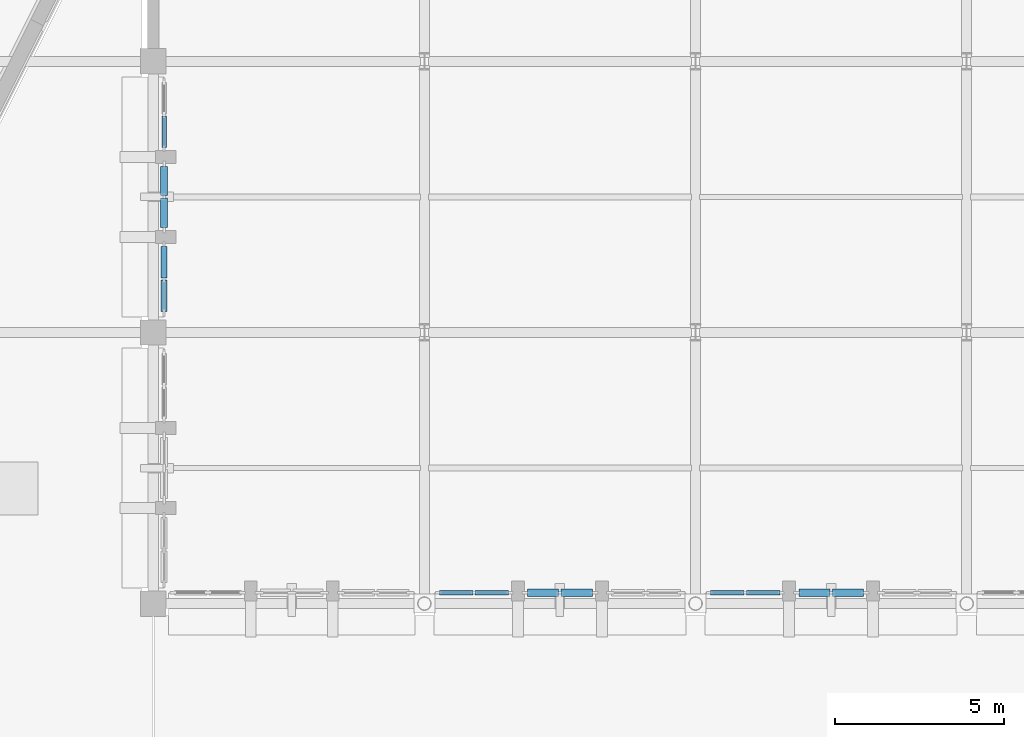
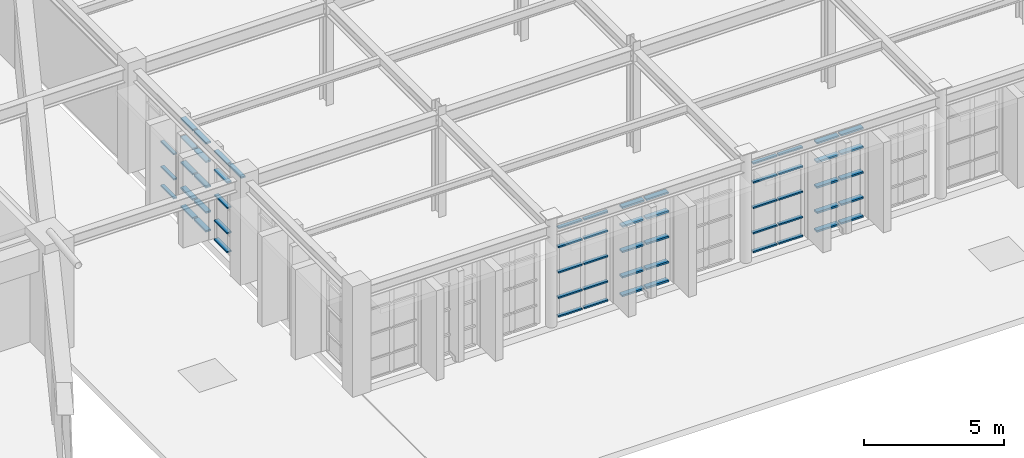
# One storey, part 75 of 155: 59 members, 7 elements without a shape of their own.
"""IFC4 building model written with IfcOpenShell, lengths in metres."""

from ifc_helpers import new_model, si_unit, direction, frame, origin, origin_2d, place, context, subcontext, project, spatial, rectangle, extrude, material, layer, layer_set, material_profile, profile_set, type_object, element, aggregate, save


model = new_model("IFC4")

# Units and contexts
model_context = context("Model", 3, precision=1e-05, world=origin(), true_north=direction((0.0, 1.0)))
body_context = subcontext(model_context, "Body", "Model", "MODEL_VIEW")
ifc_project = project(units=[si_unit("LENGTHUNIT", "METRE"), si_unit("AREAUNIT", "SQUARE_METRE"), si_unit("VOLUMEUNIT", "CUBIC_METRE"), si_unit("PLANEANGLEUNIT", "RADIAN"), si_unit("MASSUNIT", "GRAM", prefix="KILO")], contexts=[model_context])

# Site, building, storey
site_placement = place(None, origin())
site = spatial("IfcSite", under=ifc_project, at=site_placement, CompositionType="ELEMENT")
building_placement = place(site_placement, origin())
building = spatial("IfcBuilding", under=site, at=building_placement, Name="Tazarka Park Arena", CompositionType="ELEMENT")
storey_placement = place(building_placement, frame((0.0, 0.0, 5.39990234375)))
storey = spatial("IfcBuildingStorey", under=building, at=storey_placement, Name="L01", CompositionType="ELEMENT", Elevation=5.39990234375)

# Curtain wall, members
ifc_material_1 = material(Name="Aluminium and low-e glass", Category="aluminium")
ifc_layer_1 = layer(ifc_material_1, 0.179931640625, Name="Aluminium and low-e glass")
ifc_layer_set_1 = layer_set([ifc_layer_1], Name="Aluminium and low-e glass")
curtain_wall_type_1 = type_object("IfcCurtainWallType", Name="CW-12", PredefinedType="NOTDEFINED", material=ifc_layer_set_1)
curtain_wall_1_placement = place(storey_placement, origin())
curtain_wall_1 = element("IfcCurtainWall", 1, at=curtain_wall_1_placement, inside=storey, type_object=curtain_wall_type_1, Name="Curtain Wall CWA-L01-162", PredefinedType="NOTDEFINED")
ifc_material_2 = material(Name="Aluminium 6060-T66", Category="aluminium")
ifc_material_profile_1 = material_profile(ifc_material_2, rectangle(XDim=0.139892578125, YDim=0.06494140625, at=origin_2d()), Name="Aluminium 6060-T66")
ifc_profile_set_1 = profile_set([ifc_material_profile_1], Name="Aluminium 6060-T66")
member_type_1 = type_object("IfcMemberType", Name="CWT-01", PredefinedType="USERDEFINED", material=ifc_profile_set_1)
member_1_placement = place(storey_placement, frame((136.320068359375, 53.456787109375, 0.03271484375), z_axis=(0.0, 1.0, 0.0), x_axis=(-1.0, 0.0, 0.0)))
member_1 = element("IfcMember", 2, at=member_1_placement, type_object=member_type_1, Name="CW-12 transom 1.1", ObjectType="TRANSOM", PredefinedType="USERDEFINED", context=body_context, shape_type="SweptSolid", body=[
    extrude(rectangle(XDim=0.139892578125, YDim=0.06494140625, at=origin_2d()), origin(), (0.0, 0.0, 1.0), 0.928955078125),
])
member_2_placement = place(storey_placement, frame((136.320068359375, 53.456787109375, 0.85009765625), z_axis=(0.0, 1.0, 0.0), x_axis=(-1.0, 0.0, 0.0)))
member_2 = element("IfcMember", 3, at=member_2_placement, type_object=member_type_1, Name="CW-12 transom 1.2", ObjectType="TRANSOM", PredefinedType="USERDEFINED", context=body_context, shape_type="SweptSolid", body=[
    extrude(rectangle(XDim=0.139892578125, YDim=0.06494140625, at=origin_2d()), origin(), (0.0, 0.0, 1.0), 0.928955078125),
])
member_3_placement = place(storey_placement, frame((136.320068359375, 53.456787109375, 1.9501953125), z_axis=(0.0, 1.0, 0.0), x_axis=(-1.0, 0.0, 0.0)))
member_3 = element("IfcMember", 4, at=member_3_placement, type_object=member_type_1, Name="CW-12 transom 1.3", ObjectType="TRANSOM", PredefinedType="USERDEFINED", context=body_context, shape_type="SweptSolid", body=[
    extrude(rectangle(XDim=0.139892578125, YDim=0.06494140625, at=origin_2d()), origin(), (0.0, 0.0, 1.0), 0.928955078125),
])
aggregate(curtain_wall_1, [member_1, member_2, member_3])

ifc_material_3 = material(Name="Aluminium and low-e glass", Category="aluminium")
ifc_layer_2 = layer(ifc_material_3, 0.179931640625, Name="Aluminium and low-e glass")
ifc_layer_set_2 = layer_set([ifc_layer_2], Name="Aluminium and low-e glass")
curtain_wall_type_2 = type_object("IfcCurtainWallType", Name="CW-21", PredefinedType="NOTDEFINED", material=ifc_layer_set_2)
curtain_wall_2_placement = place(storey_placement, origin())
curtain_wall_2 = element("IfcCurtainWall", 5, at=curtain_wall_2_placement, inside=storey, type_object=curtain_wall_type_2, Name="Curtain Wall CWA-L01-171", PredefinedType="NOTDEFINED")
member_4_placement = place(storey_placement, frame((146.486083984375, 40.320068359375, 0.03271484375), z_axis=(-1.0, 0.0, 0.0), x_axis=(0.0, -1.0, 0.0)))
member_4 = element("IfcMember", 6, at=member_4_placement, type_object=member_type_1, Name="CW-21 transom 1.1", ObjectType="TRANSOM", PredefinedType="USERDEFINED", context=body_context, shape_type="SweptSolid", body=[
    extrude(rectangle(XDim=0.139892578125, YDim=0.06494140625, at=origin_2d()), origin(), (0.0, 0.0, 1.0), 0.986328125),
])
member_5_placement = place(storey_placement, frame((146.486083984375, 40.320068359375, 0.85009765625), z_axis=(-1.0, 0.0, 0.0), x_axis=(0.0, -1.0, 0.0)))
member_5 = element("IfcMember", 7, at=member_5_placement, type_object=member_type_1, Name="CW-21 transom 1.2", ObjectType="TRANSOM", PredefinedType="USERDEFINED", context=body_context, shape_type="SweptSolid", body=[
    extrude(rectangle(XDim=0.139892578125, YDim=0.06494140625, at=origin_2d()), origin(), (0.0, 0.0, 1.0), 0.986328125),
])
member_6_placement = place(storey_placement, frame((146.486083984375, 40.320068359375, 1.9501953125), z_axis=(-1.0, 0.0, 0.0), x_axis=(0.0, -1.0, 0.0)))
member_6 = element("IfcMember", 8, at=member_6_placement, type_object=member_type_1, Name="CW-21 transom 1.3", ObjectType="TRANSOM", PredefinedType="USERDEFINED", context=body_context, shape_type="SweptSolid", body=[
    extrude(rectangle(XDim=0.139892578125, YDim=0.06494140625, at=origin_2d()), origin(), (0.0, 0.0, 1.0), 0.986328125),
])
member_7_placement = place(storey_placement, frame((146.486083984375, 40.320068359375, 3.050048828125), z_axis=(-1.0, 0.0, 0.0), x_axis=(0.0, -1.0, 0.0)))
member_7 = element("IfcMember", 9, at=member_7_placement, type_object=member_type_1, Name="CW-21 transom 1.4", ObjectType="TRANSOM", PredefinedType="USERDEFINED", context=body_context, shape_type="SweptSolid", body=[
    extrude(rectangle(XDim=0.139892578125, YDim=0.06494140625, at=origin_2d()), origin(), (0.0, 0.0, 1.0), 0.986328125),
])
member_8_placement = place(storey_placement, frame((146.486083984375, 40.320068359375, 3.877685546875), z_axis=(-1.0, 0.0, 0.0), x_axis=(0.0, -1.0, 0.0)))
member_8 = element("IfcMember", 10, at=member_8_placement, type_object=member_type_1, Name="CW-21 transom 1.5", ObjectType="TRANSOM", PredefinedType="USERDEFINED", context=body_context, shape_type="SweptSolid", body=[
    extrude(rectangle(XDim=0.139892578125, YDim=0.06494140625, at=origin_2d()), origin(), (0.0, 0.0, 1.0), 0.986328125),
])
member_9_placement = place(storey_placement, frame((145.4345703125, 40.320068359375, 0.03271484375), z_axis=(-1.0, 0.0, 0.0), x_axis=(0.0, -1.0, 0.0)))
member_9 = element("IfcMember", 11, at=member_9_placement, type_object=member_type_1, Name="CW-21 transom 2.1", ObjectType="TRANSOM", PredefinedType="USERDEFINED", context=body_context, shape_type="SweptSolid", body=[
    extrude(rectangle(XDim=0.139892578125, YDim=0.06494140625, at=origin_2d()), origin(), (0.0, 0.0, 1.0), 0.986328125),
])
member_10_placement = place(storey_placement, frame((145.4345703125, 40.320068359375, 0.85009765625), z_axis=(-1.0, 0.0, 0.0), x_axis=(0.0, -1.0, 0.0)))
member_10 = element("IfcMember", 12, at=member_10_placement, type_object=member_type_1, Name="CW-21 transom 2.2", ObjectType="TRANSOM", PredefinedType="USERDEFINED", context=body_context, shape_type="SweptSolid", body=[
    extrude(rectangle(XDim=0.139892578125, YDim=0.06494140625, at=origin_2d()), origin(), (0.0, 0.0, 1.0), 0.986328125),
])
member_11_placement = place(storey_placement, frame((145.4345703125, 40.320068359375, 1.9501953125), z_axis=(-1.0, 0.0, 0.0), x_axis=(0.0, -1.0, 0.0)))
member_11 = element("IfcMember", 13, at=member_11_placement, type_object=member_type_1, Name="CW-21 transom 2.3", ObjectType="TRANSOM", PredefinedType="USERDEFINED", context=body_context, shape_type="SweptSolid", body=[
    extrude(rectangle(XDim=0.139892578125, YDim=0.06494140625, at=origin_2d()), origin(), (0.0, 0.0, 1.0), 0.986328125),
])
member_12_placement = place(storey_placement, frame((145.4345703125, 40.320068359375, 3.050048828125), z_axis=(-1.0, 0.0, 0.0), x_axis=(0.0, -1.0, 0.0)))
member_12 = element("IfcMember", 14, at=member_12_placement, type_object=member_type_1, Name="CW-21 transom 2.4", ObjectType="TRANSOM", PredefinedType="USERDEFINED", context=body_context, shape_type="SweptSolid", body=[
    extrude(rectangle(XDim=0.139892578125, YDim=0.06494140625, at=origin_2d()), origin(), (0.0, 0.0, 1.0), 0.986328125),
])
member_13_placement = place(storey_placement, frame((145.4345703125, 40.320068359375, 3.877685546875), z_axis=(-1.0, 0.0, 0.0), x_axis=(0.0, -1.0, 0.0)))
member_13 = element("IfcMember", 15, at=member_13_placement, type_object=member_type_1, Name="CW-21 transom 2.5", ObjectType="TRANSOM", PredefinedType="USERDEFINED", context=body_context, shape_type="SweptSolid", body=[
    extrude(rectangle(XDim=0.139892578125, YDim=0.06494140625, at=origin_2d()), origin(), (0.0, 0.0, 1.0), 0.986328125),
])
aggregate(curtain_wall_2, [member_4, member_5, member_6, member_7, member_8, member_9, member_10, member_11, member_12, member_13])

ifc_material_4 = material(Name="Aluminium and low-e glass", Category="aluminium")
ifc_layer_3 = layer(ifc_material_4, 0.179931640625, Name="Aluminium and low-e glass")
ifc_layer_set_3 = layer_set([ifc_layer_3], Name="Aluminium and low-e glass")
curtain_wall_type_3 = type_object("IfcCurtainWallType", Name="CW-24", PredefinedType="NOTDEFINED", material=ifc_layer_set_3)
curtain_wall_3_placement = place(storey_placement, origin())
curtain_wall_3 = element("IfcCurtainWall", 16, at=curtain_wall_3_placement, inside=storey, type_object=curtain_wall_type_3, Name="Curtain Wall CWA-L01-174", PredefinedType="NOTDEFINED")
member_14_placement = place(storey_placement, frame((154.486083984375, 40.320068359375, 0.03271484375), z_axis=(-1.0, 0.0, 0.0), x_axis=(0.0, -1.0, 0.0)))
member_14 = element("IfcMember", 17, at=member_14_placement, type_object=member_type_1, Name="CW-24 transom 1.1", ObjectType="TRANSOM", PredefinedType="USERDEFINED", context=body_context, shape_type="SweptSolid", body=[
    extrude(rectangle(XDim=0.139892578125, YDim=0.06494140625, at=origin_2d()), origin(), (0.0, 0.0, 1.0), 0.986328125),
])
member_15_placement = place(storey_placement, frame((154.486083984375, 40.320068359375, 0.85009765625), z_axis=(-1.0, 0.0, 0.0), x_axis=(0.0, -1.0, 0.0)))
member_15 = element("IfcMember", 18, at=member_15_placement, type_object=member_type_1, Name="CW-24 transom 1.2", ObjectType="TRANSOM", PredefinedType="USERDEFINED", context=body_context, shape_type="SweptSolid", body=[
    extrude(rectangle(XDim=0.139892578125, YDim=0.06494140625, at=origin_2d()), origin(), (0.0, 0.0, 1.0), 0.986328125),
])
member_16_placement = place(storey_placement, frame((154.486083984375, 40.320068359375, 1.9501953125), z_axis=(-1.0, 0.0, 0.0), x_axis=(0.0, -1.0, 0.0)))
member_16 = element("IfcMember", 19, at=member_16_placement, type_object=member_type_1, Name="CW-24 transom 1.3", ObjectType="TRANSOM", PredefinedType="USERDEFINED", context=body_context, shape_type="SweptSolid", body=[
    extrude(rectangle(XDim=0.139892578125, YDim=0.06494140625, at=origin_2d()), origin(), (0.0, 0.0, 1.0), 0.986328125),
])
member_17_placement = place(storey_placement, frame((154.486083984375, 40.320068359375, 3.050048828125), z_axis=(-1.0, 0.0, 0.0), x_axis=(0.0, -1.0, 0.0)))
member_17 = element("IfcMember", 20, at=member_17_placement, type_object=member_type_1, Name="CW-24 transom 1.4", ObjectType="TRANSOM", PredefinedType="USERDEFINED", context=body_context, shape_type="SweptSolid", body=[
    extrude(rectangle(XDim=0.139892578125, YDim=0.06494140625, at=origin_2d()), origin(), (0.0, 0.0, 1.0), 0.986328125),
])
member_18_placement = place(storey_placement, frame((154.486083984375, 40.320068359375, 3.877685546875), z_axis=(-1.0, 0.0, 0.0), x_axis=(0.0, -1.0, 0.0)))
member_18 = element("IfcMember", 21, at=member_18_placement, type_object=member_type_1, Name="CW-24 transom 1.5", ObjectType="TRANSOM", PredefinedType="USERDEFINED", context=body_context, shape_type="SweptSolid", body=[
    extrude(rectangle(XDim=0.139892578125, YDim=0.06494140625, at=origin_2d()), origin(), (0.0, 0.0, 1.0), 0.986328125),
])
member_19_placement = place(storey_placement, frame((153.4345703125, 40.320068359375, 0.03271484375), z_axis=(-1.0, 0.0, 0.0), x_axis=(0.0, -1.0, 0.0)))
member_19 = element("IfcMember", 22, at=member_19_placement, type_object=member_type_1, Name="CW-24 transom 2.1", ObjectType="TRANSOM", PredefinedType="USERDEFINED", context=body_context, shape_type="SweptSolid", body=[
    extrude(rectangle(XDim=0.139892578125, YDim=0.06494140625, at=origin_2d()), origin(), (0.0, 0.0, 1.0), 0.986328125),
])
member_20_placement = place(storey_placement, frame((153.4345703125, 40.320068359375, 0.85009765625), z_axis=(-1.0, 0.0, 0.0), x_axis=(0.0, -1.0, 0.0)))
member_20 = element("IfcMember", 23, at=member_20_placement, type_object=member_type_1, Name="CW-24 transom 2.2", ObjectType="TRANSOM", PredefinedType="USERDEFINED", context=body_context, shape_type="SweptSolid", body=[
    extrude(rectangle(XDim=0.139892578125, YDim=0.06494140625, at=origin_2d()), origin(), (0.0, 0.0, 1.0), 0.986328125),
])
member_21_placement = place(storey_placement, frame((153.4345703125, 40.320068359375, 1.9501953125), z_axis=(-1.0, 0.0, 0.0), x_axis=(0.0, -1.0, 0.0)))
member_21 = element("IfcMember", 24, at=member_21_placement, type_object=member_type_1, Name="CW-24 transom 2.3", ObjectType="TRANSOM", PredefinedType="USERDEFINED", context=body_context, shape_type="SweptSolid", body=[
    extrude(rectangle(XDim=0.139892578125, YDim=0.06494140625, at=origin_2d()), origin(), (0.0, 0.0, 1.0), 0.986328125),
])
member_22_placement = place(storey_placement, frame((153.4345703125, 40.320068359375, 3.050048828125), z_axis=(-1.0, 0.0, 0.0), x_axis=(0.0, -1.0, 0.0)))
member_22 = element("IfcMember", 25, at=member_22_placement, type_object=member_type_1, Name="CW-24 transom 2.4", ObjectType="TRANSOM", PredefinedType="USERDEFINED", context=body_context, shape_type="SweptSolid", body=[
    extrude(rectangle(XDim=0.139892578125, YDim=0.06494140625, at=origin_2d()), origin(), (0.0, 0.0, 1.0), 0.986328125),
])
member_23_placement = place(storey_placement, frame((153.4345703125, 40.320068359375, 3.877685546875), z_axis=(-1.0, 0.0, 0.0), x_axis=(0.0, -1.0, 0.0)))
member_23 = element("IfcMember", 26, at=member_23_placement, type_object=member_type_1, Name="CW-24 transom 2.5", ObjectType="TRANSOM", PredefinedType="USERDEFINED", context=body_context, shape_type="SweptSolid", body=[
    extrude(rectangle(XDim=0.139892578125, YDim=0.06494140625, at=origin_2d()), origin(), (0.0, 0.0, 1.0), 0.986328125),
])
aggregate(curtain_wall_3, [member_14, member_15, member_16, member_17, member_18, member_19, member_20, member_21, member_22, member_23])

ifc_material_5 = material(Name="Aluminium and low-e glass", Category="aluminium")
ifc_layer_4 = layer(ifc_material_5, 0.179931640625, Name="Aluminium and low-e glass")
ifc_layer_set_4 = layer_set([ifc_layer_4], Name="Aluminium and low-e glass")
curtain_wall_type_4 = type_object("IfcCurtainWallType", Name="CW-10", PredefinedType="NOTDEFINED", material=ifc_layer_set_4)
curtain_wall_4_placement = place(storey_placement, origin())
curtain_wall_4 = element("IfcCurtainWall", 27, at=curtain_wall_4_placement, inside=storey, type_object=curtain_wall_type_4, Name="Curtain Wall CWA-L01-160", PredefinedType="NOTDEFINED")
ifc_material_6 = material(Name="Aluminium 6060-T66", Category="aluminium")
ifc_material_profile_2 = material_profile(ifc_material_6, rectangle(XDim=0.179931640625, YDim=0.06494140625, at=origin_2d()), Name="Aluminium 6060-T66")
ifc_profile_set_2 = profile_set([ifc_material_profile_2], Name="Aluminium 6060-T66")
member_type_2 = type_object("IfcMemberType", Name="CWT-02", PredefinedType="USERDEFINED", material=ifc_profile_set_2)
member_24_placement = place(storey_placement, frame((136.320068359375, 48.6201171875, 3.86767578125), z_axis=(0.0, 1.0, 0.0), x_axis=(-1.0, 0.0, 0.0)))
member_24 = element("IfcMember", 28, at=member_24_placement, type_object=member_type_2, Name="CW-10 transom 1.5", ObjectType="TRANSOM", PredefinedType="USERDEFINED", context=body_context, shape_type="SweptSolid", body=[
    extrude(rectangle(XDim=0.179931640625, YDim=0.06494140625, at=origin_2d()), origin(), (0.0, 0.0, 1.0), 0.928955078125),
])
member_25_placement = place(storey_placement, frame((136.320068359375, 49.6142578125, 0.03271484375), z_axis=(0.0, 1.0, 0.0), x_axis=(-1.0, 0.0, 0.0)))
member_25 = element("IfcMember", 29, at=member_25_placement, type_object=member_type_2, Name="CW-10 transom 2.1", ObjectType="TRANSOM", PredefinedType="USERDEFINED", context=body_context, shape_type="SweptSolid", body=[
    extrude(rectangle(XDim=0.179931640625, YDim=0.06494140625, at=origin_2d()), origin(), (0.0, 0.0, 1.0), 0.928955078125),
])
member_26_placement = place(storey_placement, frame((136.320068359375, 49.6142578125, 0.85009765625), z_axis=(0.0, 1.0, 0.0), x_axis=(-1.0, 0.0, 0.0)))
member_26 = element("IfcMember", 30, at=member_26_placement, type_object=member_type_2, Name="CW-10 transom 2.2", ObjectType="TRANSOM", PredefinedType="USERDEFINED", context=body_context, shape_type="SweptSolid", body=[
    extrude(rectangle(XDim=0.179931640625, YDim=0.06494140625, at=origin_2d()), origin(), (0.0, 0.0, 1.0), 0.928955078125),
])
member_27_placement = place(storey_placement, frame((136.320068359375, 49.6142578125, 1.9501953125), z_axis=(0.0, 1.0, 0.0), x_axis=(-1.0, 0.0, 0.0)))
member_27 = element("IfcMember", 31, at=member_27_placement, type_object=member_type_2, Name="CW-10 transom 2.3", ObjectType="TRANSOM", PredefinedType="USERDEFINED", context=body_context, shape_type="SweptSolid", body=[
    extrude(rectangle(XDim=0.179931640625, YDim=0.06494140625, at=origin_2d()), origin(), (0.0, 0.0, 1.0), 0.928955078125),
])
member_28_placement = place(storey_placement, frame((136.320068359375, 49.6142578125, 3.050048828125), z_axis=(0.0, 1.0, 0.0), x_axis=(-1.0, 0.0, 0.0)))
member_28 = element("IfcMember", 32, at=member_28_placement, type_object=member_type_2, Name="CW-10 transom 2.4", ObjectType="TRANSOM", PredefinedType="USERDEFINED", context=body_context, shape_type="SweptSolid", body=[
    extrude(rectangle(XDim=0.179931640625, YDim=0.06494140625, at=origin_2d()), origin(), (0.0, 0.0, 1.0), 0.928955078125),
])
member_29_placement = place(storey_placement, frame((136.320068359375, 49.6142578125, 3.86767578125), z_axis=(0.0, 1.0, 0.0), x_axis=(-1.0, 0.0, 0.0)))
member_29 = element("IfcMember", 33, at=member_29_placement, type_object=member_type_2, Name="CW-10 transom 2.5", ObjectType="TRANSOM", PredefinedType="USERDEFINED", context=body_context, shape_type="SweptSolid", body=[
    extrude(rectangle(XDim=0.179931640625, YDim=0.06494140625, at=origin_2d()), origin(), (0.0, 0.0, 1.0), 0.928955078125),
])
aggregate(curtain_wall_4, [member_24, member_25, member_26, member_27, member_28, member_29])

ifc_material_7 = material(Name="Aluminium and low-e glass", Category="aluminium")
ifc_layer_5 = layer(ifc_material_7, 0.179931640625, Name="Aluminium and low-e glass")
ifc_layer_set_5 = layer_set([ifc_layer_5], Name="Aluminium and low-e glass")
curtain_wall_type_5 = type_object("IfcCurtainWallType", Name="CW-11", PredefinedType="NOTDEFINED", material=ifc_layer_set_5)
curtain_wall_5_placement = place(storey_placement, origin())
curtain_wall_5 = element("IfcCurtainWall", 34, at=curtain_wall_5_placement, inside=storey, type_object=curtain_wall_type_5, Name="Curtain Wall CWA-L01-161", PredefinedType="NOTDEFINED")
ifc_material_8 = material(Name="Aluminium 6060-T66", Category="aluminium")
ifc_material_profile_3 = material_profile(ifc_material_8, rectangle(XDim=0.2099609375, YDim=0.074951171875, at=origin_2d()), Name="Aluminium 6060-T66")
ifc_profile_set_3 = profile_set([ifc_material_profile_3], Name="Aluminium 6060-T66")
member_type_3 = type_object("IfcMemberType", Name="CWT-03", PredefinedType="USERDEFINED", material=ifc_profile_set_3)
member_30_placement = place(storey_placement, frame((136.320068359375, 51.103271484375, 0.03759765625), z_axis=(0.0, 1.0, 0.0), x_axis=(-1.0, 0.0, 0.0)))
member_30 = element("IfcMember", 35, at=member_30_placement, type_object=member_type_3, Name="CW-11 transom 1.1", ObjectType="TRANSOM", PredefinedType="USERDEFINED", context=body_context, shape_type="SweptSolid", body=[
    extrude(rectangle(XDim=0.2099609375, YDim=0.074951171875, at=origin_2d()), origin(), (0.0, 0.0, 1.0), 0.859130859375),
])
member_31_placement = place(storey_placement, frame((136.320068359375, 51.103271484375, 0.85009765625), z_axis=(0.0, 1.0, 0.0), x_axis=(-1.0, 0.0, 0.0)))
member_31 = element("IfcMember", 36, at=member_31_placement, type_object=member_type_3, Name="CW-11 transom 1.2", ObjectType="TRANSOM", PredefinedType="USERDEFINED", context=body_context, shape_type="SweptSolid", body=[
    extrude(rectangle(XDim=0.2099609375, YDim=0.074951171875, at=origin_2d()), origin(), (0.0, 0.0, 1.0), 0.859130859375),
])
member_32_placement = place(storey_placement, frame((136.320068359375, 51.103271484375, 1.9501953125), z_axis=(0.0, 1.0, 0.0), x_axis=(-1.0, 0.0, 0.0)))
member_32 = element("IfcMember", 37, at=member_32_placement, type_object=member_type_3, Name="CW-11 transom 1.3", ObjectType="TRANSOM", PredefinedType="USERDEFINED", context=body_context, shape_type="SweptSolid", body=[
    extrude(rectangle(XDim=0.2099609375, YDim=0.074951171875, at=origin_2d()), origin(), (0.0, 0.0, 1.0), 0.859130859375),
])
member_33_placement = place(storey_placement, frame((136.320068359375, 51.103271484375, 3.050048828125), z_axis=(0.0, 1.0, 0.0), x_axis=(-1.0, 0.0, 0.0)))
member_33 = element("IfcMember", 38, at=member_33_placement, type_object=member_type_3, Name="CW-11 transom 1.4", ObjectType="TRANSOM", PredefinedType="USERDEFINED", context=body_context, shape_type="SweptSolid", body=[
    extrude(rectangle(XDim=0.2099609375, YDim=0.074951171875, at=origin_2d()), origin(), (0.0, 0.0, 1.0), 0.859130859375),
])
member_34_placement = place(storey_placement, frame((136.320068359375, 51.103271484375, 3.862548828125), z_axis=(0.0, 1.0, 0.0), x_axis=(-1.0, 0.0, 0.0)))
member_34 = element("IfcMember", 39, at=member_34_placement, type_object=member_type_3, Name="CW-11 transom 1.5", ObjectType="TRANSOM", PredefinedType="USERDEFINED", context=body_context, shape_type="SweptSolid", body=[
    extrude(rectangle(XDim=0.2099609375, YDim=0.074951171875, at=origin_2d()), origin(), (0.0, 0.0, 1.0), 0.859130859375),
])
member_35_placement = place(storey_placement, frame((136.320068359375, 52.03759765625, 0.03759765625), z_axis=(0.0, 1.0, 0.0), x_axis=(-1.0, 0.0, 0.0)))
member_35 = element("IfcMember", 40, at=member_35_placement, type_object=member_type_3, Name="CW-11 transom 2.1", ObjectType="TRANSOM", PredefinedType="USERDEFINED", context=body_context, shape_type="SweptSolid", body=[
    extrude(rectangle(XDim=0.2099609375, YDim=0.074951171875, at=origin_2d()), origin(), (0.0, 0.0, 1.0), 0.859130859375),
])
member_36_placement = place(storey_placement, frame((136.320068359375, 52.03759765625, 0.85009765625), z_axis=(0.0, 1.0, 0.0), x_axis=(-1.0, 0.0, 0.0)))
member_36 = element("IfcMember", 41, at=member_36_placement, type_object=member_type_3, Name="CW-11 transom 2.2", ObjectType="TRANSOM", PredefinedType="USERDEFINED", context=body_context, shape_type="SweptSolid", body=[
    extrude(rectangle(XDim=0.2099609375, YDim=0.074951171875, at=origin_2d()), origin(), (0.0, 0.0, 1.0), 0.859130859375),
])
member_37_placement = place(storey_placement, frame((136.320068359375, 52.03759765625, 1.9501953125), z_axis=(0.0, 1.0, 0.0), x_axis=(-1.0, 0.0, 0.0)))
member_37 = element("IfcMember", 42, at=member_37_placement, type_object=member_type_3, Name="CW-11 transom 2.3", ObjectType="TRANSOM", PredefinedType="USERDEFINED", context=body_context, shape_type="SweptSolid", body=[
    extrude(rectangle(XDim=0.2099609375, YDim=0.074951171875, at=origin_2d()), origin(), (0.0, 0.0, 1.0), 0.859130859375),
])
member_38_placement = place(storey_placement, frame((136.320068359375, 52.03759765625, 3.050048828125), z_axis=(0.0, 1.0, 0.0), x_axis=(-1.0, 0.0, 0.0)))
member_38 = element("IfcMember", 43, at=member_38_placement, type_object=member_type_3, Name="CW-11 transom 2.4", ObjectType="TRANSOM", PredefinedType="USERDEFINED", context=body_context, shape_type="SweptSolid", body=[
    extrude(rectangle(XDim=0.2099609375, YDim=0.074951171875, at=origin_2d()), origin(), (0.0, 0.0, 1.0), 0.859130859375),
])
member_39_placement = place(storey_placement, frame((136.320068359375, 52.03759765625, 3.862548828125), z_axis=(0.0, 1.0, 0.0), x_axis=(-1.0, 0.0, 0.0)))
member_39 = element("IfcMember", 44, at=member_39_placement, type_object=member_type_3, Name="CW-11 transom 2.5", ObjectType="TRANSOM", PredefinedType="USERDEFINED", context=body_context, shape_type="SweptSolid", body=[
    extrude(rectangle(XDim=0.2099609375, YDim=0.074951171875, at=origin_2d()), origin(), (0.0, 0.0, 1.0), 0.859130859375),
])
aggregate(curtain_wall_5, [member_30, member_31, member_32, member_33, member_34, member_35, member_36, member_37, member_38, member_39])

ifc_material_9 = material(Name="Aluminium and low-e glass", Category="aluminium")
ifc_layer_6 = layer(ifc_material_9, 0.179931640625, Name="Aluminium and low-e glass")
ifc_layer_set_6 = layer_set([ifc_layer_6], Name="Aluminium and low-e glass")
curtain_wall_type_6 = type_object("IfcCurtainWallType", Name="CW-20", PredefinedType="NOTDEFINED", material=ifc_layer_set_6)
curtain_wall_6_placement = place(storey_placement, origin())
curtain_wall_6 = element("IfcCurtainWall", 45, at=curtain_wall_6_placement, inside=storey, type_object=curtain_wall_type_6, Name="Curtain Wall CWA-L01-170", PredefinedType="NOTDEFINED")
member_40_placement = place(storey_placement, frame((148.953857421875, 40.320068359375, 0.03759765625), z_axis=(-1.0, 0.0, 0.0), x_axis=(0.0, -1.0, 0.0)))
member_40 = element("IfcMember", 46, at=member_40_placement, type_object=member_type_3, Name="CW-20 transom 1.1", ObjectType="TRANSOM", PredefinedType="USERDEFINED", context=body_context, shape_type="SweptSolid", body=[
    extrude(rectangle(XDim=0.2099609375, YDim=0.074951171875, at=origin_2d()), origin(), (0.0, 0.0, 1.0), 0.916259765625),
])
member_41_placement = place(storey_placement, frame((148.953857421875, 40.320068359375, 0.85009765625), z_axis=(-1.0, 0.0, 0.0), x_axis=(0.0, -1.0, 0.0)))
member_41 = element("IfcMember", 47, at=member_41_placement, type_object=member_type_3, Name="CW-20 transom 1.2", ObjectType="TRANSOM", PredefinedType="USERDEFINED", context=body_context, shape_type="SweptSolid", body=[
    extrude(rectangle(XDim=0.2099609375, YDim=0.074951171875, at=origin_2d()), origin(), (0.0, 0.0, 1.0), 0.916259765625),
])
member_42_placement = place(storey_placement, frame((148.953857421875, 40.320068359375, 1.9501953125), z_axis=(-1.0, 0.0, 0.0), x_axis=(0.0, -1.0, 0.0)))
member_42 = element("IfcMember", 48, at=member_42_placement, type_object=member_type_3, Name="CW-20 transom 1.3", ObjectType="TRANSOM", PredefinedType="USERDEFINED", context=body_context, shape_type="SweptSolid", body=[
    extrude(rectangle(XDim=0.2099609375, YDim=0.074951171875, at=origin_2d()), origin(), (0.0, 0.0, 1.0), 0.916259765625),
])
member_43_placement = place(storey_placement, frame((148.953857421875, 40.320068359375, 3.050048828125), z_axis=(-1.0, 0.0, 0.0), x_axis=(0.0, -1.0, 0.0)))
member_43 = element("IfcMember", 49, at=member_43_placement, type_object=member_type_3, Name="CW-20 transom 1.4", ObjectType="TRANSOM", PredefinedType="USERDEFINED", context=body_context, shape_type="SweptSolid", body=[
    extrude(rectangle(XDim=0.2099609375, YDim=0.074951171875, at=origin_2d()), origin(), (0.0, 0.0, 1.0), 0.916259765625),
])
member_44_placement = place(storey_placement, frame((148.953857421875, 40.320068359375, 3.87255859375), z_axis=(-1.0, 0.0, 0.0), x_axis=(0.0, -1.0, 0.0)))
member_44 = element("IfcMember", 50, at=member_44_placement, type_object=member_type_3, Name="CW-20 transom 1.5", ObjectType="TRANSOM", PredefinedType="USERDEFINED", context=body_context, shape_type="SweptSolid", body=[
    extrude(rectangle(XDim=0.2099609375, YDim=0.074951171875, at=origin_2d()), origin(), (0.0, 0.0, 1.0), 0.916259765625),
])
member_45_placement = place(storey_placement, frame((147.96240234375, 40.320068359375, 0.03759765625), z_axis=(-1.0, 0.0, 0.0), x_axis=(0.0, -1.0, 0.0)))
member_45 = element("IfcMember", 51, at=member_45_placement, type_object=member_type_3, Name="CW-20 transom 2.1", ObjectType="TRANSOM", PredefinedType="USERDEFINED", context=body_context, shape_type="SweptSolid", body=[
    extrude(rectangle(XDim=0.2099609375, YDim=0.074951171875, at=origin_2d()), origin(), (0.0, 0.0, 1.0), 0.916259765625),
])
member_46_placement = place(storey_placement, frame((147.96240234375, 40.320068359375, 0.85009765625), z_axis=(-1.0, 0.0, 0.0), x_axis=(0.0, -1.0, 0.0)))
member_46 = element("IfcMember", 52, at=member_46_placement, type_object=member_type_3, Name="CW-20 transom 2.2", ObjectType="TRANSOM", PredefinedType="USERDEFINED", context=body_context, shape_type="SweptSolid", body=[
    extrude(rectangle(XDim=0.2099609375, YDim=0.074951171875, at=origin_2d()), origin(), (0.0, 0.0, 1.0), 0.916259765625),
])
member_47_placement = place(storey_placement, frame((147.96240234375, 40.320068359375, 1.9501953125), z_axis=(-1.0, 0.0, 0.0), x_axis=(0.0, -1.0, 0.0)))
member_47 = element("IfcMember", 53, at=member_47_placement, type_object=member_type_3, Name="CW-20 transom 2.3", ObjectType="TRANSOM", PredefinedType="USERDEFINED", context=body_context, shape_type="SweptSolid", body=[
    extrude(rectangle(XDim=0.2099609375, YDim=0.074951171875, at=origin_2d()), origin(), (0.0, 0.0, 1.0), 0.916259765625),
])
member_48_placement = place(storey_placement, frame((147.96240234375, 40.320068359375, 3.050048828125), z_axis=(-1.0, 0.0, 0.0), x_axis=(0.0, -1.0, 0.0)))
member_48 = element("IfcMember", 54, at=member_48_placement, type_object=member_type_3, Name="CW-20 transom 2.4", ObjectType="TRANSOM", PredefinedType="USERDEFINED", context=body_context, shape_type="SweptSolid", body=[
    extrude(rectangle(XDim=0.2099609375, YDim=0.074951171875, at=origin_2d()), origin(), (0.0, 0.0, 1.0), 0.916259765625),
])
member_49_placement = place(storey_placement, frame((147.96240234375, 40.320068359375, 3.87255859375), z_axis=(-1.0, 0.0, 0.0), x_axis=(0.0, -1.0, 0.0)))
member_49 = element("IfcMember", 55, at=member_49_placement, type_object=member_type_3, Name="CW-20 transom 2.5", ObjectType="TRANSOM", PredefinedType="USERDEFINED", context=body_context, shape_type="SweptSolid", body=[
    extrude(rectangle(XDim=0.2099609375, YDim=0.074951171875, at=origin_2d()), origin(), (0.0, 0.0, 1.0), 0.916259765625),
])
aggregate(curtain_wall_6, [member_40, member_41, member_42, member_43, member_44, member_45, member_46, member_47, member_48, member_49])

ifc_material_10 = material(Name="Aluminium and low-e glass", Category="aluminium")
ifc_layer_7 = layer(ifc_material_10, 0.179931640625, Name="Aluminium and low-e glass")
ifc_layer_set_7 = layer_set([ifc_layer_7], Name="Aluminium and low-e glass")
curtain_wall_type_7 = type_object("IfcCurtainWallType", Name="CW-23", PredefinedType="NOTDEFINED", material=ifc_layer_set_7)
curtain_wall_7_placement = place(storey_placement, origin())
curtain_wall_7 = element("IfcCurtainWall", 56, at=curtain_wall_7_placement, inside=storey, type_object=curtain_wall_type_7, Name="Curtain Wall CWA-L01-173", PredefinedType="NOTDEFINED")
member_50_placement = place(storey_placement, frame((156.953857421875, 40.320068359375, 0.03759765625), z_axis=(-1.0, 0.0, 0.0), x_axis=(0.0, -1.0, 0.0)))
member_50 = element("IfcMember", 57, at=member_50_placement, type_object=member_type_3, Name="CW-23 transom 1.1", ObjectType="TRANSOM", PredefinedType="USERDEFINED", context=body_context, shape_type="SweptSolid", body=[
    extrude(rectangle(XDim=0.2099609375, YDim=0.074951171875, at=origin_2d()), origin(), (0.0, 0.0, 1.0), 0.916259765625),
])
member_51_placement = place(storey_placement, frame((156.953857421875, 40.320068359375, 0.85009765625), z_axis=(-1.0, 0.0, 0.0), x_axis=(0.0, -1.0, 0.0)))
member_51 = element("IfcMember", 58, at=member_51_placement, type_object=member_type_3, Name="CW-23 transom 1.2", ObjectType="TRANSOM", PredefinedType="USERDEFINED", context=body_context, shape_type="SweptSolid", body=[
    extrude(rectangle(XDim=0.2099609375, YDim=0.074951171875, at=origin_2d()), origin(), (0.0, 0.0, 1.0), 0.916259765625),
])
member_52_placement = place(storey_placement, frame((156.953857421875, 40.320068359375, 1.9501953125), z_axis=(-1.0, 0.0, 0.0), x_axis=(0.0, -1.0, 0.0)))
member_52 = element("IfcMember", 59, at=member_52_placement, type_object=member_type_3, Name="CW-23 transom 1.3", ObjectType="TRANSOM", PredefinedType="USERDEFINED", context=body_context, shape_type="SweptSolid", body=[
    extrude(rectangle(XDim=0.2099609375, YDim=0.074951171875, at=origin_2d()), origin(), (0.0, 0.0, 1.0), 0.916259765625),
])
member_53_placement = place(storey_placement, frame((156.953857421875, 40.320068359375, 3.050048828125), z_axis=(-1.0, 0.0, 0.0), x_axis=(0.0, -1.0, 0.0)))
member_53 = element("IfcMember", 60, at=member_53_placement, type_object=member_type_3, Name="CW-23 transom 1.4", ObjectType="TRANSOM", PredefinedType="USERDEFINED", context=body_context, shape_type="SweptSolid", body=[
    extrude(rectangle(XDim=0.2099609375, YDim=0.074951171875, at=origin_2d()), origin(), (0.0, 0.0, 1.0), 0.916259765625),
])
member_54_placement = place(storey_placement, frame((156.953857421875, 40.320068359375, 3.87255859375), z_axis=(-1.0, 0.0, 0.0), x_axis=(0.0, -1.0, 0.0)))
member_54 = element("IfcMember", 61, at=member_54_placement, type_object=member_type_3, Name="CW-23 transom 1.5", ObjectType="TRANSOM", PredefinedType="USERDEFINED", context=body_context, shape_type="SweptSolid", body=[
    extrude(rectangle(XDim=0.2099609375, YDim=0.074951171875, at=origin_2d()), origin(), (0.0, 0.0, 1.0), 0.916259765625),
])
member_55_placement = place(storey_placement, frame((155.96240234375, 40.320068359375, 0.03759765625), z_axis=(-1.0, 0.0, 0.0), x_axis=(0.0, -1.0, 0.0)))
member_55 = element("IfcMember", 62, at=member_55_placement, type_object=member_type_3, Name="CW-23 transom 2.1", ObjectType="TRANSOM", PredefinedType="USERDEFINED", context=body_context, shape_type="SweptSolid", body=[
    extrude(rectangle(XDim=0.2099609375, YDim=0.074951171875, at=origin_2d()), origin(), (0.0, 0.0, 1.0), 0.916259765625),
])
member_56_placement = place(storey_placement, frame((155.96240234375, 40.320068359375, 0.85009765625), z_axis=(-1.0, 0.0, 0.0), x_axis=(0.0, -1.0, 0.0)))
member_56 = element("IfcMember", 63, at=member_56_placement, type_object=member_type_3, Name="CW-23 transom 2.2", ObjectType="TRANSOM", PredefinedType="USERDEFINED", context=body_context, shape_type="SweptSolid", body=[
    extrude(rectangle(XDim=0.2099609375, YDim=0.074951171875, at=origin_2d()), origin(), (0.0, 0.0, 1.0), 0.916259765625),
])
member_57_placement = place(storey_placement, frame((155.96240234375, 40.320068359375, 1.9501953125), z_axis=(-1.0, 0.0, 0.0), x_axis=(0.0, -1.0, 0.0)))
member_57 = element("IfcMember", 64, at=member_57_placement, type_object=member_type_3, Name="CW-23 transom 2.3", ObjectType="TRANSOM", PredefinedType="USERDEFINED", context=body_context, shape_type="SweptSolid", body=[
    extrude(rectangle(XDim=0.2099609375, YDim=0.074951171875, at=origin_2d()), origin(), (0.0, 0.0, 1.0), 0.916259765625),
])
member_58_placement = place(storey_placement, frame((155.96240234375, 40.320068359375, 3.050048828125), z_axis=(-1.0, 0.0, 0.0), x_axis=(0.0, -1.0, 0.0)))
member_58 = element("IfcMember", 65, at=member_58_placement, type_object=member_type_3, Name="CW-23 transom 2.4", ObjectType="TRANSOM", PredefinedType="USERDEFINED", context=body_context, shape_type="SweptSolid", body=[
    extrude(rectangle(XDim=0.2099609375, YDim=0.074951171875, at=origin_2d()), origin(), (0.0, 0.0, 1.0), 0.916259765625),
])
member_59_placement = place(storey_placement, frame((155.96240234375, 40.320068359375, 3.87255859375), z_axis=(-1.0, 0.0, 0.0), x_axis=(0.0, -1.0, 0.0)))
member_59 = element("IfcMember", 66, at=member_59_placement, type_object=member_type_3, Name="CW-23 transom 2.5", ObjectType="TRANSOM", PredefinedType="USERDEFINED", context=body_context, shape_type="SweptSolid", body=[
    extrude(rectangle(XDim=0.2099609375, YDim=0.074951171875, at=origin_2d()), origin(), (0.0, 0.0, 1.0), 0.916259765625),
])
aggregate(curtain_wall_7, [member_50, member_51, member_52, member_53, member_54, member_55, member_56, member_57, member_58, member_59])

save(model, "model.ifc")
